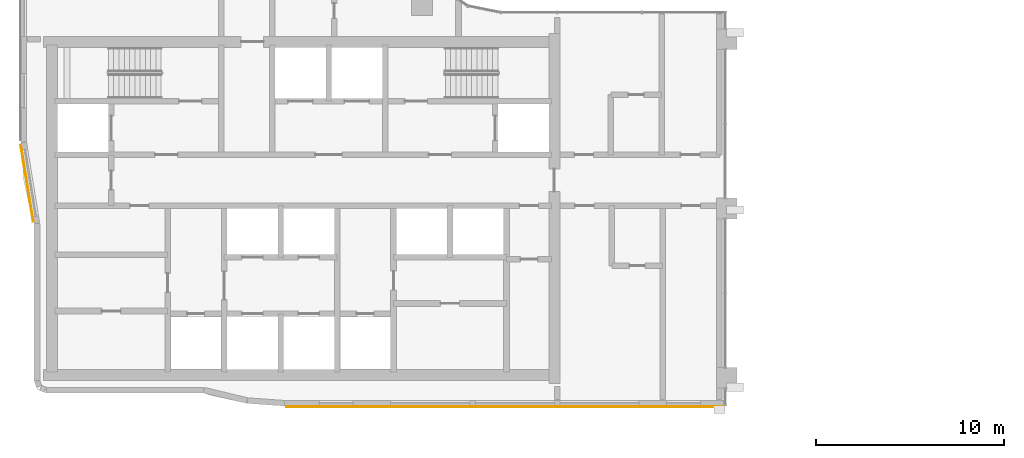
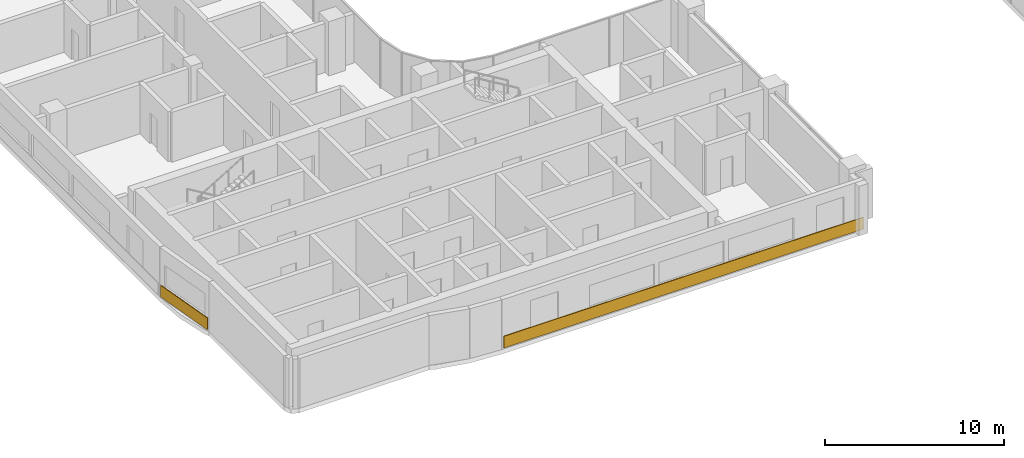
# One storey, part 17 of 23: 2 coverings.
"""IFC4 building model written with IfcOpenShell, lengths in metres."""

from ifc_helpers import new_model, si_unit, direction, frame, origin, origin_2d, place, context, subcontext, project, spatial, rectangle, extrude, material, layer, layer_set, type_object, element, save


model = new_model("IFC4")

# Units and contexts
model_context = context("Model", 3, precision=1e-05, world=origin(), true_north=direction((0.0, 1.0)))
body_context = subcontext(model_context, "Body", "Model", "MODEL_VIEW")
ifc_project = project(units=[si_unit("LENGTHUNIT", "METRE"), si_unit("AREAUNIT", "SQUARE_METRE"), si_unit("VOLUMEUNIT", "CUBIC_METRE"), si_unit("PLANEANGLEUNIT", "RADIAN"), si_unit("MASSUNIT", "GRAM", prefix="KILO")], contexts=[model_context])

# Site, building, storey
site_placement = place(None, origin())
site = spatial("IfcSite", under=ifc_project, at=site_placement, CompositionType="ELEMENT")
building_placement = place(site_placement, origin())
building = spatial("IfcBuilding", under=site, at=building_placement, Name="Ogive Portal Towers", CompositionType="ELEMENT")
storey_placement = place(building_placement, frame((0.0, 0.0, 149.60009765625)))
storey = spatial("IfcBuildingStorey", under=building, at=storey_placement, Name="L36", CompositionType="ELEMENT", Elevation=149.60009765625)

# Coverings
ifc_material = material(Name="Limestone cladding on lightweight block wall", Category="masonry")
ifc_layer = layer(ifc_material, 0.050048828125)
ifc_layer_set = layer_set([ifc_layer], Name="SCREEN PERFORATED STONE")
covering_type = type_object("IfcCoveringType", Name="SCREEN PERFORATED STONE", PredefinedType="CLADDING", material=ifc_layer_set)
covering_1_placement = place(storey_placement, frame((55.71533203125, 19.97509765625, 0.10009765625), z_axis=(0.0, 0.0, 1.0), x_axis=(1.0, 0.0, 0.0)))
element("IfcCovering", 1, at=covering_1_placement, inside=storey, type_object=covering_type, Name="Tracery screen", PredefinedType="CLADDING", context=body_context, shape_type="SweptSolid", body=[
    extrude(rectangle(XDim=23.209228515625, YDim=0.050048828125, at=origin_2d()), origin(), (0.0, 0.0, 1.0), 0.800048828125),
])
covering_2_placement = place(storey_placement, frame((30.327392578125, 31.833740234375, 0.10009765625), z_axis=(0.0, 0.0, 1.0), x_axis=(0.160654533408, -0.987010699484, 0.0)))
element("IfcCovering", 2, at=covering_2_placement, inside=storey, type_object=covering_type, Name="Tracery screen", PredefinedType="CLADDING", context=body_context, shape_type="SweptSolid", body=[
    extrude(rectangle(XDim=4.1328125, YDim=0.050048828125, at=origin_2d()), origin(), (0.0, 0.0, 1.0), 0.800048828125),
])

save(model, "model.ifc")
